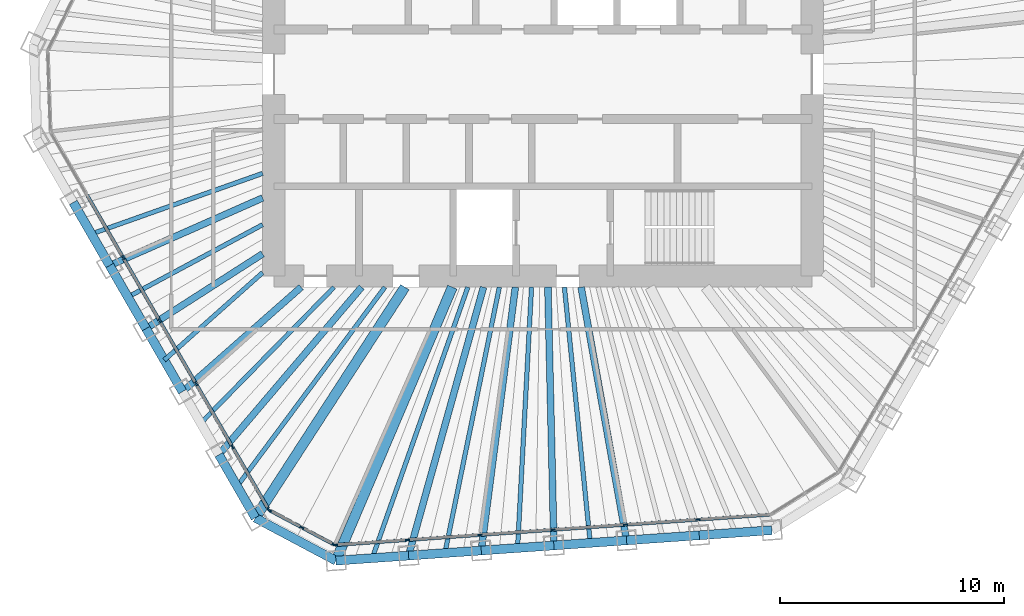
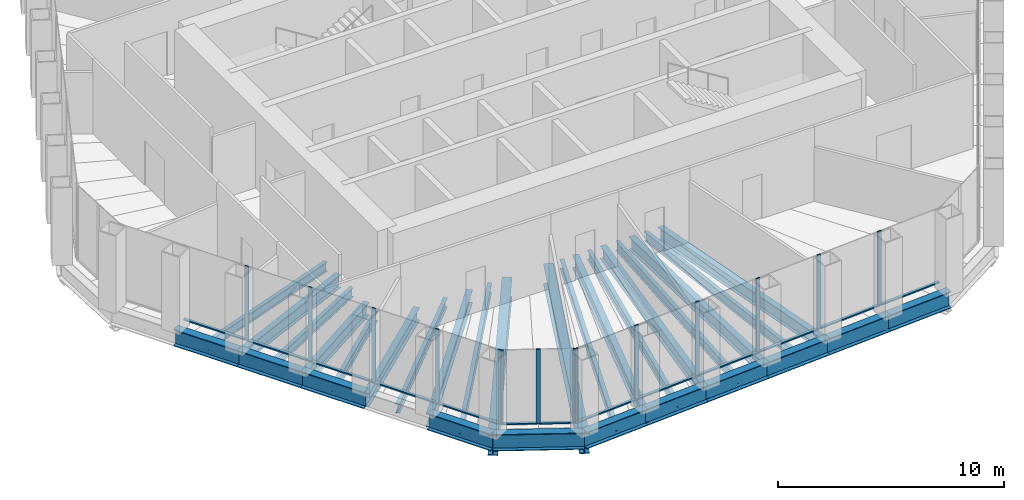
# One storey, part 2 of 14: 30 beams, 27 members, 3 elements without a shape of their own.
"""IFC4 building model written with IfcOpenShell, lengths in metres."""

from ifc_helpers import new_model, si_unit, direction, frame, origin, origin_2d, place, context, subcontext, project, spatial, rectangle, i_section, extrude, material, material_profile, profile_set, type_object, element, aggregate, save


model = new_model("IFC4")

# Units and contexts
model_context = context("Model", 3, precision=1e-05, world=origin(), true_north=direction((0.0, 1.0)))
body_context = subcontext(model_context, "Body", "Model", "MODEL_VIEW")
ifc_project = project(units=[si_unit("LENGTHUNIT", "METRE"), si_unit("AREAUNIT", "SQUARE_METRE"), si_unit("VOLUMEUNIT", "CUBIC_METRE"), si_unit("PLANEANGLEUNIT", "RADIAN"), si_unit("MASSUNIT", "GRAM", prefix="KILO")], contexts=[model_context])

# Site, building, storey
site_placement = place(None, origin())
site = spatial("IfcSite", under=ifc_project, at=site_placement, CompositionType="ELEMENT")
building_placement = place(site_placement, origin())
building = spatial("IfcBuilding", under=site, at=building_placement, Name="Qingtian Harvest Tower", CompositionType="ELEMENT")
storey_placement = place(building_placement, frame((0.0, 0.0, 283.0)))
storey = spatial("IfcBuildingStorey", under=building, at=storey_placement, Name="L62", CompositionType="ELEMENT", Elevation=283.0)

# Beams
ifc_material_1 = material(Name="Steel SM570MC", Category="steel")
ifc_material_profile_1 = material_profile(ifc_material_1, i_section(OverallWidth=0.449951171875, OverallDepth=1.10009765625, WebThickness=0.02197265625, FlangeThickness=0.044921875, at=origin_2d()), Name="H1100x450x22x45")
ifc_profile_set_1 = profile_set([ifc_material_profile_1], Name="Steel SM570MC")
beam_type_1 = type_object("IfcBeamType", Name="Corner floor beam FB8 H1100x450x22x45", PredefinedType="BEAM", material=ifc_profile_set_1)
beam_1_placement = place(storey_placement, frame((-9.231201171875, -21.69677734375, -0.719970703125), z_axis=(0.391497096334, 0.920179343151, 0.0), x_axis=(-0.920179343151, 0.391497096334, 0.0)))
element("IfcBeam", 1, at=beam_1_placement, inside=storey, type_object=beam_type_1, Name="Floor beam FB8 S6", PredefinedType="BEAM", context=body_context, shape_type="SweptSolid", body=[
    extrude(i_section(OverallWidth=0.449951171875, OverallDepth=1.10009765625, WebThickness=0.02197265625, FlangeThickness=0.044921875, at=origin_2d()), origin(), (0.0, 0.0, 1.0), 13.2548828125),
])
beam_2_placement = place(storey_placement, frame((-12.825439453125, -19.78564453125, -0.719970703125), z_axis=(0.543944801957, 0.83912099987, 0.0), x_axis=(-0.83912099987, 0.543944801957, 0.0)))
element("IfcBeam", 2, at=beam_2_placement, inside=storey, type_object=beam_type_1, Name="Floor beam FB8 SW0", PredefinedType="BEAM", context=body_context, shape_type="SweptSolid", body=[
    extrude(i_section(OverallWidth=0.449951171875, OverallDepth=1.10009765625, WebThickness=0.02197265625, FlangeThickness=0.044921875, at=origin_2d()), origin(), (0.0, 0.0, 1.0), 12.257568359375),
])
ifc_material_2 = material(Name="Steel SN490B", Category="steel")
ifc_material_profile_2 = material_profile(ifc_material_2, i_section(OverallWidth=0.300048828125, OverallDepth=0.699951171875, WebThickness=0.012939453125, FlangeThickness=0.02392578125, at=origin_2d()), Name="H700x300x13x24")
ifc_profile_set_2 = profile_set([ifc_material_profile_2], Name="Steel SN490B")
beam_type_2 = type_object("IfcBeamType", Name="Floor beam FB4 H700x300x13x24", PredefinedType="BEAM", material=ifc_profile_set_2)
beam_3_placement = place(storey_placement, frame((3.729248046875, -20.79052734375, -0.52001953125), z_axis=(-0.176549332285, 0.984291792747, 0.0), x_axis=(-0.984291792747, -0.176549332285, 0.0)))
element("IfcBeam", 3, at=beam_3_placement, inside=storey, type_object=beam_type_2, Name="Floor beam FB4 S2", PredefinedType="BEAM", context=body_context, shape_type="SweptSolid", body=[
    extrude(i_section(OverallWidth=0.300048828125, OverallDepth=0.699951171875, WebThickness=0.012939453125, FlangeThickness=0.02392578125, at=origin_2d()), origin(), (0.0, 0.0, 1.0), 11.470703125),
])
beam_4_placement = place(storey_placement, frame((0.489013671875, -21.01708984375, -0.52001953125), z_axis=(-0.023248050009, 0.999729727562, 0.0), x_axis=(-0.999729727562, -0.023248050009, 0.0)))
element("IfcBeam", 4, at=beam_4_placement, inside=storey, type_object=beam_type_2, Name="Floor beam FB4 S3", PredefinedType="BEAM", context=body_context, shape_type="SweptSolid", body=[
    extrude(i_section(OverallWidth=0.300048828125, OverallDepth=0.699951171875, WebThickness=0.012939453125, FlangeThickness=0.02392578125, at=origin_2d()), origin(), (0.0, 0.0, 1.0), 11.520263671875),
])
beam_5_placement = place(storey_placement, frame((-2.7509765625, -21.24365234375, -0.52001953125), z_axis=(0.128423358095, 0.991719436683, 0.0), x_axis=(-0.991719436683, 0.128423358095, 0.0)))
element("IfcBeam", 5, at=beam_5_placement, inside=storey, type_object=beam_type_2, Name="Floor beam FB4 S4", PredefinedType="BEAM", context=body_context, shape_type="SweptSolid", body=[
    extrude(i_section(OverallWidth=0.300048828125, OverallDepth=0.699951171875, WebThickness=0.012939453125, FlangeThickness=0.02392578125, at=origin_2d()), origin(), (0.0, 0.0, 1.0), 11.841796875),
])
beam_6_placement = place(storey_placement, frame((-5.9912109375, -21.47021484375, -0.52001953125), z_axis=(0.268784556761, 0.963200322906, 0.0), x_axis=(-0.963200322906, 0.268784556761, 0.0)))
element("IfcBeam", 6, at=beam_6_placement, inside=storey, type_object=beam_type_2, Name="Floor beam FB4 S5", PredefinedType="BEAM", context=body_context, shape_type="SweptSolid", body=[
    extrude(i_section(OverallWidth=0.300048828125, OverallDepth=0.699951171875, WebThickness=0.012939453125, FlangeThickness=0.02392578125, at=origin_2d()), origin(), (0.0, 0.0, 1.0), 12.427490234375),
])
beam_7_placement = place(storey_placement, frame((-14.449462890625, -16.972900390625, -0.52001953125), z_axis=(0.64823096823, 0.761443768001, 0.0), x_axis=(-0.761443768001, 0.64823096823, 0.0)))
element("IfcBeam", 7, at=beam_7_placement, inside=storey, type_object=beam_type_2, Name="Floor beam FB4 SW1", PredefinedType="BEAM", context=body_context, shape_type="SweptSolid", body=[
    extrude(i_section(OverallWidth=0.300048828125, OverallDepth=0.699951171875, WebThickness=0.012939453125, FlangeThickness=0.02392578125, at=origin_2d()), origin(), (0.0, 0.0, 1.0), 9.814208984375),
])
beam_8_placement = place(storey_placement, frame((-16.073486328125, -14.159912109375, -0.52001953125), z_axis=(0.75036921961, 0.661018936387, 0.0), x_axis=(-0.661018936387, 0.75036921961, 0.0)))
element("IfcBeam", 8, at=beam_8_placement, inside=storey, type_object=beam_type_2, Name="Floor beam FB4 SW2", PredefinedType="BEAM", context=body_context, shape_type="SweptSolid", body=[
    extrude(i_section(OverallWidth=0.300048828125, OverallDepth=0.699951171875, WebThickness=0.012939453125, FlangeThickness=0.02392578125, at=origin_2d()), origin(), (0.0, 0.0, 1.0), 7.049560546875),
])
beam_9_placement = place(storey_placement, frame((-17.697509765625, -11.34716796875, -0.52001953125), z_axis=(0.841821552392, 0.539755939225, 0.0), x_axis=(-0.539755939225, 0.841821552392, 0.0)))
element("IfcBeam", 9, at=beam_9_placement, inside=storey, type_object=beam_type_2, Name="Floor beam FB4 SW3", PredefinedType="BEAM", context=body_context, shape_type="SweptSolid", body=[
    extrude(i_section(OverallWidth=0.300048828125, OverallDepth=0.699951171875, WebThickness=0.012939453125, FlangeThickness=0.02392578125, at=origin_2d()), origin(), (0.0, 0.0, 1.0), 6.174072265625),
])
beam_10_placement = place(storey_placement, frame((-19.321533203125, -8.5341796875, -0.52001953125), z_axis=(0.914747389649, 0.404026253021, 0.0), x_axis=(-0.404026253021, 0.914747389649, 0.0)))
element("IfcBeam", 10, at=beam_10_placement, inside=storey, type_object=beam_type_2, Name="Floor beam FB4 SW4", PredefinedType="BEAM", context=body_context, shape_type="SweptSolid", body=[
    extrude(i_section(OverallWidth=0.300048828125, OverallDepth=0.699951171875, WebThickness=0.012939453125, FlangeThickness=0.02392578125, at=origin_2d()), origin(), (0.0, 0.0, 1.0), 7.457275390625),
])
ifc_material_3 = material(Name="Steel SN490B", Category="steel")
ifc_material_profile_3 = material_profile(ifc_material_3, i_section(OverallWidth=0.199951171875, OverallDepth=0.5, WebThickness=0.010009765625, FlangeThickness=0.01611328125, at=origin_2d()), Name="H500x200x10x16")
ifc_profile_set_3 = profile_set([ifc_material_profile_3], Name="Steel SN490B")
beam_type_3 = type_object("IfcBeamType", Name="Floor joist J3 H500x200x10x16", PredefinedType="JOIST", material=ifc_profile_set_3)
beam_11_placement = place(storey_placement, frame((2.109130859375, -20.90380859375, -0.419921875), z_axis=(-0.100389444623, 0.994948219461, 0.0), x_axis=(-0.994948219461, -0.100389444623, 0.0)))
element("IfcBeam", 11, at=beam_11_placement, inside=storey, type_object=beam_type_3, Name="Floor joist J3 S2", PredefinedType="JOIST", context=body_context, shape_type="SweptSolid", body=[
    extrude(i_section(OverallWidth=0.199951171875, OverallDepth=0.5, WebThickness=0.010009765625, FlangeThickness=0.01611328125, at=origin_2d()), origin(), (0.0, 0.0, 1.0), 11.461669921875),
])
beam_12_placement = place(storey_placement, frame((-1.130859375, -21.13037109375, -0.419921875), z_axis=(0.053431269754, 0.998571529442, 0.0), x_axis=(-0.998571529442, 0.053431269754, 0.0)))
element("IfcBeam", 12, at=beam_12_placement, inside=storey, type_object=beam_type_3, Name="Floor joist J3 S3", PredefinedType="JOIST", context=body_context, shape_type="SweptSolid", body=[
    extrude(i_section(OverallWidth=0.199951171875, OverallDepth=0.5, WebThickness=0.010009765625, FlangeThickness=0.01611328125, at=origin_2d()), origin(), (0.0, 0.0, 1.0), 11.64697265625),
])
beam_13_placement = place(storey_placement, frame((-4.37109375, -21.35693359375, -0.419921875), z_axis=(0.20051328843, 0.979690982485, 0.0), x_axis=(-0.979690982485, 0.20051328843, 0.0)))
element("IfcBeam", 13, at=beam_13_placement, inside=storey, type_object=beam_type_3, Name="Floor joist J3 S4", PredefinedType="JOIST", context=body_context, shape_type="SweptSolid", body=[
    extrude(i_section(OverallWidth=0.199951171875, OverallDepth=0.5, WebThickness=0.010009765625, FlangeThickness=0.01611328125, at=origin_2d()), origin(), (0.0, 0.0, 1.0), 12.102783203125),
])
beam_14_placement = place(storey_placement, frame((-7.611083984375, -21.58349609375, -0.419921875), z_axis=(0.332557973755, 0.943082814016, 0.0), x_axis=(-0.943082814016, 0.332557973755, 0.0)))
element("IfcBeam", 14, at=beam_14_placement, inside=storey, type_object=beam_type_3, Name="Floor joist J3 S5", PredefinedType="JOIST", context=body_context, shape_type="SweptSolid", body=[
    extrude(i_section(OverallWidth=0.199951171875, OverallDepth=0.5, WebThickness=0.010009765625, FlangeThickness=0.01611328125, at=origin_2d()), origin(), (0.0, 0.0, 1.0), 12.812744140625),
])
beam_15_placement = place(storey_placement, frame((-13.637451171875, -18.37939453125, -0.419921875), z_axis=(0.59587265023, 0.80307894052, 0.0), x_axis=(-0.80307894052, 0.59587265023, 0.0)))
element("IfcBeam", 15, at=beam_15_placement, inside=storey, type_object=beam_type_3, Name="Floor joist J3 SW0", PredefinedType="JOIST", context=body_context, shape_type="SweptSolid", body=[
    extrude(i_section(OverallWidth=0.199951171875, OverallDepth=0.5, WebThickness=0.010009765625, FlangeThickness=0.01611328125, at=origin_2d()), origin(), (0.0, 0.0, 1.0), 11.056640625),
])
beam_16_placement = place(storey_placement, frame((-15.261474609375, -15.56640625, -0.419921875), z_axis=(0.700074571426, 0.714069740602, 0.0), x_axis=(-0.714069740602, 0.700074571426, 0.0)))
element("IfcBeam", 16, at=beam_16_placement, inside=storey, type_object=beam_type_3, Name="Floor joist J3 SW1", PredefinedType="JOIST", context=body_context, shape_type="SweptSolid", body=[
    extrude(i_section(OverallWidth=0.199951171875, OverallDepth=0.5, WebThickness=0.010009765625, FlangeThickness=0.01611328125, at=origin_2d()), origin(), (0.0, 0.0, 1.0), 8.49560546875),
])
beam_17_placement = place(storey_placement, frame((-16.885498046875, -12.753662109375, -0.419921875), z_axis=(0.746957180478, 0.664872146004, 0.0), x_axis=(-0.664872146004, 0.746957180478, 0.0)))
element("IfcBeam", 17, at=beam_17_placement, inside=storey, type_object=beam_type_3, Name="Floor joist J3 SW2", PredefinedType="JOIST", context=body_context, shape_type="SweptSolid", body=[
    extrude(i_section(OverallWidth=0.199951171875, OverallDepth=0.5, WebThickness=0.010009765625, FlangeThickness=0.01611328125, at=origin_2d()), origin(), (0.0, 0.0, 1.0), 5.87109375),
])
beam_18_placement = place(storey_placement, frame((-18.509521484375, -9.940673828125, -0.419921875), z_axis=(0.880981997123, 0.473149786795, 0.0), x_axis=(-0.473149786795, 0.880981997123, 0.0)))
element("IfcBeam", 18, at=beam_18_placement, inside=storey, type_object=beam_type_3, Name="Floor joist J3 SW3", PredefinedType="JOIST", context=body_context, shape_type="SweptSolid", body=[
    extrude(i_section(OverallWidth=0.199951171875, OverallDepth=0.5, WebThickness=0.010009765625, FlangeThickness=0.01611328125, at=origin_2d()), origin(), (0.0, 0.0, 1.0), 6.8212890625),
])
beam_19_placement = place(storey_placement, frame((-20.133544921875, -7.1279296875, -0.419921875), z_axis=(0.942662600818, 0.333747241215, 0.0), x_axis=(-0.333747241215, 0.942662600818, 0.0)))
element("IfcBeam", 19, at=beam_19_placement, inside=storey, type_object=beam_type_3, Name="Floor joist J3 SW4", PredefinedType="JOIST", context=body_context, shape_type="SweptSolid", body=[
    extrude(i_section(OverallWidth=0.199951171875, OverallDepth=0.5, WebThickness=0.010009765625, FlangeThickness=0.01611328125, at=origin_2d()), origin(), (0.0, 0.0, 1.0), 8.097900390625),
])

# Curtain wall, members
ifc_material_4 = material(Name="Bronze-anodised aluminium curtain wall", Category="aluminium")
curtain_wall_type = type_object("IfcCurtainWallType", Name="Curtain wall CW5 upper office", PredefinedType="USERDEFINED", material=ifc_material_4)
curtain_wall_1_placement = place(storey_placement, origin())
curtain_wall_1 = element("IfcCurtainWall", 20, at=curtain_wall_1_placement, inside=storey, type_object=curtain_wall_type, Name="Curtain wall CW5 L62 S0-5", ObjectType="RECESSED CURTAIN WALL", PredefinedType="USERDEFINED")
ifc_material_5 = material(Name="Bronze-anodised aluminium mullion", Category="aluminium")
ifc_material_profile_4 = material_profile(ifc_material_5, rectangle(XDim=0.06494140625, YDim=0.199951171875, at=origin_2d()), Name="AL 65x200")
ifc_profile_set_4 = profile_set([ifc_material_profile_4], Name="Bronze-anodised aluminium mullion")
member_type_1 = type_object("IfcMemberType", Name="Mullion CWM 65x200", PredefinedType="MULLION", material=ifc_profile_set_4)
member_1_placement = place(storey_placement, frame((6.92041015625, -19.86572265625, 0.0), z_axis=(0.0, 0.0, 1.0), x_axis=(0.069756473744, -0.99756405026, 0.0)))
member_1 = element("IfcMember", 21, at=member_1_placement, type_object=member_type_1, Name="CW5 mullion 2", PredefinedType="MULLION", context=body_context, shape_type="SweptSolid", body=[
    extrude(rectangle(XDim=0.06494140625, YDim=0.199951171875, at=origin_2d()), origin(), (0.0, 0.0, 1.0), 4.030029296875),
])
member_2_placement = place(storey_placement, frame((3.680419921875, -20.09228515625, 0.0), z_axis=(0.0, 0.0, 1.0), x_axis=(0.069756473744, -0.99756405026, 0.0)))
member_2 = element("IfcMember", 22, at=member_2_placement, type_object=member_type_1, Name="CW5 mullion 3", PredefinedType="MULLION", context=body_context, shape_type="SweptSolid", body=[
    extrude(rectangle(XDim=0.06494140625, YDim=0.199951171875, at=origin_2d()), origin(), (0.0, 0.0, 1.0), 4.030029296875),
])
member_3_placement = place(storey_placement, frame((0.440185546875, -20.31884765625, 0.0), z_axis=(0.0, 0.0, 1.0), x_axis=(0.069756473744, -0.99756405026, 0.0)))
member_3 = element("IfcMember", 23, at=member_3_placement, type_object=member_type_1, Name="CW5 mullion 4", PredefinedType="MULLION", context=body_context, shape_type="SweptSolid", body=[
    extrude(rectangle(XDim=0.06494140625, YDim=0.199951171875, at=origin_2d()), origin(), (0.0, 0.0, 1.0), 4.030029296875),
])
member_4_placement = place(storey_placement, frame((-2.7998046875, -20.54541015625, 0.0), z_axis=(0.0, 0.0, 1.0), x_axis=(0.069756473744, -0.99756405026, 0.0)))
member_4 = element("IfcMember", 24, at=member_4_placement, type_object=member_type_1, Name="CW5 mullion 5", PredefinedType="MULLION", context=body_context, shape_type="SweptSolid", body=[
    extrude(rectangle(XDim=0.06494140625, YDim=0.199951171875, at=origin_2d()), origin(), (0.0, 0.0, 1.0), 4.030029296875),
])
member_5_placement = place(storey_placement, frame((-6.0400390625, -20.77197265625, 0.0), z_axis=(0.0, 0.0, 1.0), x_axis=(0.069756473744, -0.99756405026, 0.0)))
member_5 = element("IfcMember", 25, at=member_5_placement, type_object=member_type_1, Name="CW5 mullion 6", PredefinedType="MULLION", context=body_context, shape_type="SweptSolid", body=[
    extrude(rectangle(XDim=0.06494140625, YDim=0.199951171875, at=origin_2d()), origin(), (0.0, 0.0, 1.0), 4.030029296875),
])
member_6_placement = place(storey_placement, frame((-9.24755859375, -20.996337890625, 0.0), z_axis=(0.0, 0.0, 1.0), x_axis=(0.069756473744, -0.99756405026, 0.0)))
member_6 = element("IfcMember", 26, at=member_6_placement, type_object=member_type_1, Name="CW5 mullion 7", PredefinedType="MULLION", context=body_context, shape_type="SweptSolid", body=[
    extrude(rectangle(XDim=0.06494140625, YDim=0.199951171875, at=origin_2d()), origin(), (0.0, 0.0, 1.0), 4.030029296875),
])

curtain_wall_2_placement = place(storey_placement, origin())
curtain_wall_2 = element("IfcCurtainWall", 27, at=curtain_wall_2_placement, inside=storey, type_object=curtain_wall_type, Name="Curtain wall CW5 L62 SC", ObjectType="RECESSED CURTAIN WALL", PredefinedType="USERDEFINED")
member_7_placement = place(storey_placement, frame((-9.308837890625, -20.983154296875, 0.0), z_axis=(0.0, 0.0, 1.0), x_axis=(-0.469471562786, -0.882947592859, 0.0)))
member_7 = element("IfcMember", 28, at=member_7_placement, type_object=member_type_1, Name="CW5 mullion 1", PredefinedType="MULLION", context=body_context, shape_type="SweptSolid", body=[
    extrude(rectangle(XDim=0.06494140625, YDim=0.199951171875, at=origin_2d()), origin(), (0.0, 0.0, 1.0), 4.030029296875),
])
member_8_placement = place(storey_placement, frame((-10.749755859375, -20.217041015625, 0.0), z_axis=(0.0, 0.0, 1.0), x_axis=(-0.469471562786, -0.882947592859, 0.0)))
member_8 = element("IfcMember", 29, at=member_8_placement, type_object=member_type_1, Name="CW5 mullion 2", PredefinedType="MULLION", context=body_context, shape_type="SweptSolid", body=[
    extrude(rectangle(XDim=0.06494140625, YDim=0.199951171875, at=origin_2d()), origin(), (0.0, 0.0, 1.0), 4.030029296875),
])
member_9_placement = place(storey_placement, frame((-12.1904296875, -19.450927734375, 0.0), z_axis=(0.0, 0.0, 1.0), x_axis=(-0.469471562786, -0.882947592859, 0.0)))
member_9 = element("IfcMember", 30, at=member_9_placement, type_object=member_type_1, Name="CW5 mullion 3", PredefinedType="MULLION", context=body_context, shape_type="SweptSolid", body=[
    extrude(rectangle(XDim=0.06494140625, YDim=0.199951171875, at=origin_2d()), origin(), (0.0, 0.0, 1.0), 4.030029296875),
])

curtain_wall_3_placement = place(storey_placement, origin())
curtain_wall_3 = element("IfcCurtainWall", 31, at=curtain_wall_3_placement, inside=storey, type_object=curtain_wall_type, Name="Curtain wall CW5 L62 SW0-5", ObjectType="RECESSED CURTAIN WALL", PredefinedType="USERDEFINED")
member_10_placement = place(storey_placement, frame((-12.2353515625, -19.40771484375, 0.0), z_axis=(0.0, 0.0, 1.0), x_axis=(-0.866025403784, -0.5, 0.0)))
member_10 = element("IfcMember", 32, at=member_10_placement, type_object=member_type_1, Name="CW5 mullion 1", PredefinedType="MULLION", context=body_context, shape_type="SweptSolid", body=[
    extrude(rectangle(XDim=0.06494140625, YDim=0.199951171875, at=origin_2d()), origin(), (0.0, 0.0, 1.0), 4.030029296875),
])
member_11_placement = place(storey_placement, frame((-13.84326171875, -16.622802734375, 0.0), z_axis=(0.0, 0.0, 1.0), x_axis=(-0.866025403784, -0.5, 0.0)))
member_11 = element("IfcMember", 33, at=member_11_placement, type_object=member_type_1, Name="CW5 mullion 2", PredefinedType="MULLION", context=body_context, shape_type="SweptSolid", body=[
    extrude(rectangle(XDim=0.06494140625, YDim=0.199951171875, at=origin_2d()), origin(), (0.0, 0.0, 1.0), 4.030029296875),
])
member_12_placement = place(storey_placement, frame((-15.46728515625, -13.81005859375, 0.0), z_axis=(0.0, 0.0, 1.0), x_axis=(-0.866025403784, -0.5, 0.0)))
member_12 = element("IfcMember", 34, at=member_12_placement, type_object=member_type_1, Name="CW5 mullion 3", PredefinedType="MULLION", context=body_context, shape_type="SweptSolid", body=[
    extrude(rectangle(XDim=0.06494140625, YDim=0.199951171875, at=origin_2d()), origin(), (0.0, 0.0, 1.0), 4.030029296875),
])
member_13_placement = place(storey_placement, frame((-17.09130859375, -10.9970703125, 0.0), z_axis=(0.0, 0.0, 1.0), x_axis=(-0.866025403784, -0.5, 0.0)))
member_13 = element("IfcMember", 35, at=member_13_placement, type_object=member_type_1, Name="CW5 mullion 4", PredefinedType="MULLION", context=body_context, shape_type="SweptSolid", body=[
    extrude(rectangle(XDim=0.06494140625, YDim=0.199951171875, at=origin_2d()), origin(), (0.0, 0.0, 1.0), 4.030029296875),
])
member_14_placement = place(storey_placement, frame((-18.71533203125, -8.184326171875, 0.0), z_axis=(0.0, 0.0, 1.0), x_axis=(-0.866025403784, -0.5, 0.0)))
member_14 = element("IfcMember", 36, at=member_14_placement, type_object=member_type_1, Name="CW5 mullion 5", PredefinedType="MULLION", context=body_context, shape_type="SweptSolid", body=[
    extrude(rectangle(XDim=0.06494140625, YDim=0.199951171875, at=origin_2d()), origin(), (0.0, 0.0, 1.0), 4.030029296875),
])

# Beams
ifc_material_6 = material(Name="Steel SN490B", Category="steel")
ifc_material_profile_5 = material_profile(ifc_material_6, i_section(OverallWidth=0.39990234375, OverallDepth=0.89990234375, WebThickness=0.01904296875, FlangeThickness=0.035888671875, at=origin_2d()), Name="H900x400x19x36")
ifc_profile_set_5 = profile_set([ifc_material_profile_5], Name="Steel SN490B")
beam_type_4 = type_object("IfcBeamType", Name="Spandrel beam SB4 H900x400x19x36", PredefinedType="SPANDREL", material=ifc_profile_set_5)
beam_20_placement = place(storey_placement, frame((10.20947265625, -20.33740234375, -0.449951171875), z_axis=(-0.9975644093, -0.069751339047, 0.0), x_axis=(0.069751339047, -0.9975644093, 0.0)))
element("IfcBeam", 37, at=beam_20_placement, inside=storey, type_object=beam_type_4, Name="Spandrel SB4 S0", PredefinedType="SPANDREL", context=body_context, shape_type="SweptSolid", body=[
    extrude(i_section(OverallWidth=0.39990234375, OverallDepth=0.89990234375, WebThickness=0.01904296875, FlangeThickness=0.035888671875, at=origin_2d()), origin(), (0.0, 0.0, 1.0), 3.248046875),
])
beam_21_placement = place(storey_placement, frame((6.96923828125, -20.56396484375, -0.449951171875), z_axis=(-0.997564043571, -0.069756569394, 0.0), x_axis=(0.069756569394, -0.997564043571, 0.0)))
element("IfcBeam", 38, at=beam_21_placement, inside=storey, type_object=beam_type_4, Name="Spandrel SB4 S1", PredefinedType="SPANDREL", context=body_context, shape_type="SweptSolid", body=[
    extrude(i_section(OverallWidth=0.39990234375, OverallDepth=0.89990234375, WebThickness=0.01904296875, FlangeThickness=0.035888671875, at=origin_2d()), origin(), (0.0, 0.0, 1.0), 3.247802734375),
])
beam_22_placement = place(storey_placement, frame((3.729248046875, -20.79052734375, -0.449951171875), z_axis=(-0.9975644093, -0.069751339047, 0.0), x_axis=(0.069751339047, -0.9975644093, 0.0)))
element("IfcBeam", 39, at=beam_22_placement, inside=storey, type_object=beam_type_4, Name="Spandrel SB4 S2", PredefinedType="SPANDREL", context=body_context, shape_type="SweptSolid", body=[
    extrude(i_section(OverallWidth=0.39990234375, OverallDepth=0.89990234375, WebThickness=0.01904296875, FlangeThickness=0.035888671875, at=origin_2d()), origin(), (0.0, 0.0, 1.0), 3.248046875),
])
beam_23_placement = place(storey_placement, frame((0.489013671875, -21.01708984375, -0.449951171875), z_axis=(-0.997564043571, -0.069756569394, 0.0), x_axis=(0.069756569394, -0.997564043571, 0.0)))
element("IfcBeam", 40, at=beam_23_placement, inside=storey, type_object=beam_type_4, Name="Spandrel SB4 S3", PredefinedType="SPANDREL", context=body_context, shape_type="SweptSolid", body=[
    extrude(i_section(OverallWidth=0.39990234375, OverallDepth=0.89990234375, WebThickness=0.01904296875, FlangeThickness=0.035888671875, at=origin_2d()), origin(), (0.0, 0.0, 1.0), 3.247802734375),
])
beam_24_placement = place(storey_placement, frame((-2.7509765625, -21.24365234375, -0.449951171875), z_axis=(-0.9975644093, -0.069751339047, 0.0), x_axis=(0.069751339047, -0.9975644093, 0.0)))
element("IfcBeam", 41, at=beam_24_placement, inside=storey, type_object=beam_type_4, Name="Spandrel SB4 S4", PredefinedType="SPANDREL", context=body_context, shape_type="SweptSolid", body=[
    extrude(i_section(OverallWidth=0.39990234375, OverallDepth=0.89990234375, WebThickness=0.01904296875, FlangeThickness=0.035888671875, at=origin_2d()), origin(), (0.0, 0.0, 1.0), 3.248046875),
])
beam_25_placement = place(storey_placement, frame((-5.9912109375, -21.47021484375, -0.449951171875), z_axis=(-0.997564043571, -0.069756569394, 0.0), x_axis=(0.069756569394, -0.997564043571, 0.0)))
element("IfcBeam", 42, at=beam_25_placement, inside=storey, type_object=beam_type_4, Name="Spandrel SB4 S5", PredefinedType="SPANDREL", context=body_context, shape_type="SweptSolid", body=[
    extrude(i_section(OverallWidth=0.39990234375, OverallDepth=0.89990234375, WebThickness=0.01904296875, FlangeThickness=0.035888671875, at=origin_2d()), origin(), (0.0, 0.0, 1.0), 3.247802734375),
])
beam_26_placement = place(storey_placement, frame((-9.231201171875, -21.69677734375, -0.449951171875), z_axis=(-0.882943273379, 0.469479686456, 0.0), x_axis=(-0.469479686456, -0.882943273379, 0.0)))
element("IfcBeam", 43, at=beam_26_placement, inside=storey, type_object=beam_type_4, Name="Spandrel SB4 SC", PredefinedType="SPANDREL", context=body_context, shape_type="SweptSolid", body=[
    extrude(i_section(OverallWidth=0.39990234375, OverallDepth=0.89990234375, WebThickness=0.01904296875, FlangeThickness=0.035888671875, at=origin_2d()), origin(), (0.0, 0.0, 1.0), 4.07080078125),
])
for number, where, z_axis, x_axis, name in (
    (44, (-12.825439453125, -19.78564453125, -0.449951171875), (-0.500019593356, 0.866014091259, 0.0), (-0.866014091259, -0.500019593356, 0.0), "Spandrel SB4 SW0"),
    (45, (-16.073486328125, -14.159912109375, -0.449951171875), (-0.500019593356, 0.866014091259, 0.0), (-0.866014091259, -0.500019593356, 0.0), "Spandrel SB4 SW2"),
):
    element("IfcBeam", number, at=place(storey_placement, frame(where, z_axis=z_axis, x_axis=x_axis)), inside=storey, type_object=beam_type_4, Name=name, PredefinedType="SPANDREL", context=body_context, shape_type="SweptSolid", body=[
        extrude(i_section(OverallWidth=0.39990234375, OverallDepth=0.89990234375, WebThickness=0.01904296875, FlangeThickness=0.035888671875, at=origin_2d()), origin(), (0.0, 0.0, 1.0), 3.247802734375),
    ])
beam_27_placement = place(storey_placement, frame((-17.697509765625, -11.34716796875, -0.449951171875), z_axis=(-0.499987045439, 0.866032882975, 0.0), x_axis=(-0.866032882975, -0.499987045439, 0.0)))
element("IfcBeam", 46, at=beam_27_placement, inside=storey, type_object=beam_type_4, Name="Spandrel SB4 SW3", PredefinedType="SPANDREL", context=body_context, shape_type="SweptSolid", body=[
    extrude(i_section(OverallWidth=0.39990234375, OverallDepth=0.89990234375, WebThickness=0.01904296875, FlangeThickness=0.035888671875, at=origin_2d()), origin(), (0.0, 0.0, 1.0), 3.248046875),
])
beam_28_placement = place(storey_placement, frame((-19.321533203125, -8.5341796875, -0.449951171875), z_axis=(-0.500019593356, 0.866014091259, 0.0), x_axis=(-0.866014091259, -0.500019593356, 0.0)))
element("IfcBeam", 47, at=beam_28_placement, inside=storey, type_object=beam_type_4, Name="Spandrel SB4 SW4", PredefinedType="SPANDREL", context=body_context, shape_type="SweptSolid", body=[
    extrude(i_section(OverallWidth=0.39990234375, OverallDepth=0.89990234375, WebThickness=0.01904296875, FlangeThickness=0.035888671875, at=origin_2d()), origin(), (0.0, 0.0, 1.0), 3.247802734375),
])

# Member
ifc_material_7 = material(Name="Bronze-anodised aluminium transom", Category="aluminium")
ifc_material_profile_6 = material_profile(ifc_material_7, rectangle(XDim=0.14990234375, YDim=0.06494140625, at=origin_2d()), Name="AL 65x150")
ifc_profile_set_6 = profile_set([ifc_material_profile_6], Name="Bronze-anodised aluminium transom")
member_type_2 = type_object("IfcMemberType", Name="Transom CWT 65x150", PredefinedType="USERDEFINED", material=ifc_profile_set_6)
member_15_placement = place(storey_placement, frame((10.095703125, -19.6435546875, 0.032470703125), z_axis=(-0.997564955301, -0.069743529851, 0.0), x_axis=(0.069743529851, -0.997564955301, 0.0)))
member_15 = element("IfcMember", 48, at=member_15_placement, type_object=member_type_2, Name="CW5 transom 1.1", ObjectType="TRANSOM", PredefinedType="USERDEFINED", context=body_context, shape_type="SweptSolid", body=[
    extrude(rectangle(XDim=0.14990234375, YDim=0.06494140625, at=origin_2d()), origin(), (0.0, 0.0, 1.0), 3.150390625),
])

member_16_placement = place(storey_placement, frame((6.88818359375, -19.867919921875, 0.032470703125), z_axis=(-0.997566548107, -0.069720743674, 0.0), x_axis=(0.069720743674, -0.997566548107, 0.0)))
member_16 = element("IfcMember", 49, at=member_16_placement, type_object=member_type_2, Name="CW5 transom 2.1", ObjectType="TRANSOM", PredefinedType="USERDEFINED", context=body_context, shape_type="SweptSolid", body=[
    extrude(rectangle(XDim=0.14990234375, YDim=0.06494140625, at=origin_2d()), origin(), (0.0, 0.0, 1.0), 3.18310546875),
])

member_17_placement = place(storey_placement, frame((3.64794921875, -20.094482421875, 0.032470703125), z_axis=(-0.997566548107, -0.069720743674, 0.0), x_axis=(0.069720743674, -0.997566548107, 0.0)))
member_17 = element("IfcMember", 50, at=member_17_placement, type_object=member_type_2, Name="CW5 transom 3.1", ObjectType="TRANSOM", PredefinedType="USERDEFINED", context=body_context, shape_type="SweptSolid", body=[
    extrude(rectangle(XDim=0.14990234375, YDim=0.06494140625, at=origin_2d()), origin(), (0.0, 0.0, 1.0), 3.18310546875),
])

member_18_placement = place(storey_placement, frame((0.407958984375, -20.321044921875, 0.032470703125), z_axis=(-0.997566548107, -0.069720743674, 0.0), x_axis=(0.069720743674, -0.997566548107, 0.0)))
member_18 = element("IfcMember", 51, at=member_18_placement, type_object=member_type_2, Name="CW5 transom 4.1", ObjectType="TRANSOM", PredefinedType="USERDEFINED", context=body_context, shape_type="SweptSolid", body=[
    extrude(rectangle(XDim=0.14990234375, YDim=0.06494140625, at=origin_2d()), origin(), (0.0, 0.0, 1.0), 3.18310546875),
])

member_19_placement = place(storey_placement, frame((-2.832275390625, -20.547607421875, 0.032470703125), z_axis=(-0.997561210613, -0.06979707071, 0.0), x_axis=(0.06979707071, -0.997561210613, 0.0)))
member_19 = element("IfcMember", 52, at=member_19_placement, type_object=member_type_2, Name="CW5 transom 5.1", ObjectType="TRANSOM", PredefinedType="USERDEFINED", context=body_context, shape_type="SweptSolid", body=[
    extrude(rectangle(XDim=0.14990234375, YDim=0.06494140625, at=origin_2d()), origin(), (0.0, 0.0, 1.0), 3.18310546875),
])

member_20_placement = place(storey_placement, frame((-6.072509765625, -20.774169921875, 0.032470703125), z_axis=(-0.997564955301, -0.069743529851, 0.0), x_axis=(0.069743529851, -0.997564955301, 0.0)))
member_20 = element("IfcMember", 53, at=member_20_placement, type_object=member_type_2, Name="CW5 transom 6.1", ObjectType="TRANSOM", PredefinedType="USERDEFINED", context=body_context, shape_type="SweptSolid", body=[
    extrude(rectangle(XDim=0.14990234375, YDim=0.06494140625, at=origin_2d()), origin(), (0.0, 0.0, 1.0), 3.150390625),
])

aggregate(curtain_wall_1, [member_1, member_2, member_3, member_4, member_5, member_6, member_15, member_16, member_17, member_18, member_19, member_20])

member_21_placement = place(storey_placement, frame((-9.33740234375, -20.968017578125, 0.032470703125), z_axis=(-0.882960338349, 0.46944759122, 0.0), x_axis=(-0.46944759122, -0.882960338349, 0.0)))
member_21 = element("IfcMember", 54, at=member_21_placement, type_object=member_type_2, Name="CW5 transom 1.1", ObjectType="TRANSOM", PredefinedType="USERDEFINED", context=body_context, shape_type="SweptSolid", body=[
    extrude(rectangle(XDim=0.14990234375, YDim=0.06494140625, at=origin_2d()), origin(), (0.0, 0.0, 1.0), 1.56689453125),
])

member_22_placement = place(storey_placement, frame((-10.7783203125, -20.201904296875, 0.032470703125), z_axis=(-0.882960338349, 0.46944759122, 0.0), x_axis=(-0.46944759122, -0.882960338349, 0.0)))
member_22 = element("IfcMember", 55, at=member_22_placement, type_object=member_type_2, Name="CW5 transom 2.1", ObjectType="TRANSOM", PredefinedType="USERDEFINED", context=body_context, shape_type="SweptSolid", body=[
    extrude(rectangle(XDim=0.14990234375, YDim=0.06494140625, at=origin_2d()), origin(), (0.0, 0.0, 1.0), 1.56689453125),
])

aggregate(curtain_wall_2, [member_7, member_8, member_9, member_21, member_22])

member_23_placement = place(storey_placement, frame((-12.251708984375, -19.37939453125, 0.032470703125), z_axis=(-0.50000643655, 0.866021687608, 0.0), x_axis=(-0.866021687608, -0.50000643655, 0.0)))
member_23 = element("IfcMember", 56, at=member_23_placement, type_object=member_type_2, Name="CW5 transom 1.1", ObjectType="TRANSOM", PredefinedType="USERDEFINED", context=body_context, shape_type="SweptSolid", body=[
    extrude(rectangle(XDim=0.14990234375, YDim=0.06494140625, at=origin_2d()), origin(), (0.0, 0.0, 1.0), 3.150390625),
])

member_24_placement = place(storey_placement, frame((-13.859375, -16.5947265625, 0.032470703125), z_axis=(-0.5000079448, 0.866020816803, 0.0), x_axis=(-0.866020816803, -0.5000079448, 0.0)))
member_24 = element("IfcMember", 57, at=member_24_placement, type_object=member_type_2, Name="CW5 transom 2.1", ObjectType="TRANSOM", PredefinedType="USERDEFINED", context=body_context, shape_type="SweptSolid", body=[
    extrude(rectangle(XDim=0.14990234375, YDim=0.06494140625, at=origin_2d()), origin(), (0.0, 0.0, 1.0), 3.18310546875),
])

member_25_placement = place(storey_placement, frame((-15.4833984375, -13.78173828125, 0.032470703125), z_axis=(-0.500041159108, 0.866001639258, 0.0), x_axis=(-0.866001639258, -0.500041159108, 0.0)))
member_25 = element("IfcMember", 58, at=member_25_placement, type_object=member_type_2, Name="CW5 transom 3.1", ObjectType="TRANSOM", PredefinedType="USERDEFINED", context=body_context, shape_type="SweptSolid", body=[
    extrude(rectangle(XDim=0.14990234375, YDim=0.06494140625, at=origin_2d()), origin(), (0.0, 0.0, 1.0), 3.182861328125),
])

member_26_placement = place(storey_placement, frame((-17.107421875, -10.968994140625, 0.032470703125), z_axis=(-0.5000079448, 0.866020816803, 0.0), x_axis=(-0.866020816803, -0.5000079448, 0.0)))
member_26 = element("IfcMember", 59, at=member_26_placement, type_object=member_type_2, Name="CW5 transom 4.1", ObjectType="TRANSOM", PredefinedType="USERDEFINED", context=body_context, shape_type="SweptSolid", body=[
    extrude(rectangle(XDim=0.14990234375, YDim=0.06494140625, at=origin_2d()), origin(), (0.0, 0.0, 1.0), 3.18310546875),
])

member_27_placement = place(storey_placement, frame((-18.7314453125, -8.156005859375, 0.032470703125), z_axis=(-0.5000079448, 0.866020816803, 0.0), x_axis=(-0.866020816803, -0.5000079448, 0.0)))
member_27 = element("IfcMember", 60, at=member_27_placement, type_object=member_type_2, Name="CW5 transom 5.1", ObjectType="TRANSOM", PredefinedType="USERDEFINED", context=body_context, shape_type="SweptSolid", body=[
    extrude(rectangle(XDim=0.14990234375, YDim=0.06494140625, at=origin_2d()), origin(), (0.0, 0.0, 1.0), 3.18310546875),
])

aggregate(curtain_wall_3, [member_10, member_11, member_12, member_13, member_14, member_23, member_24, member_25, member_26, member_27])

save(model, "model.ifc")
